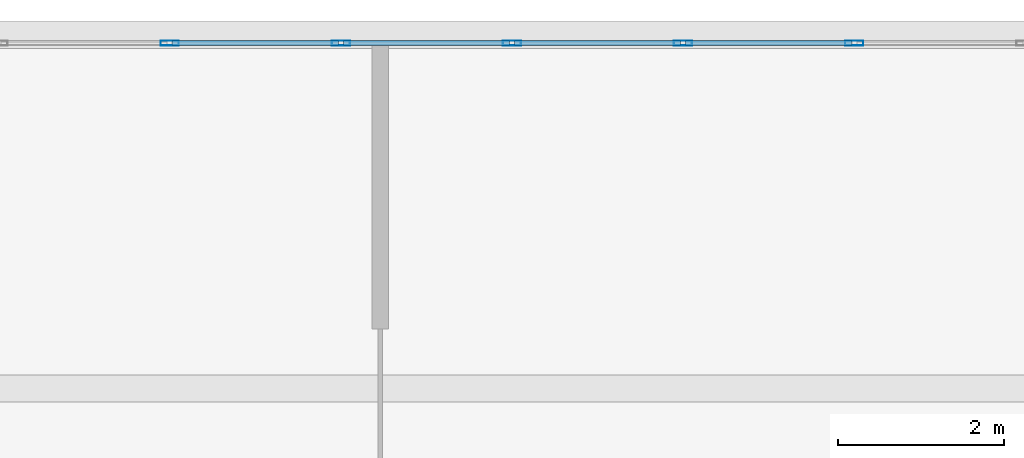
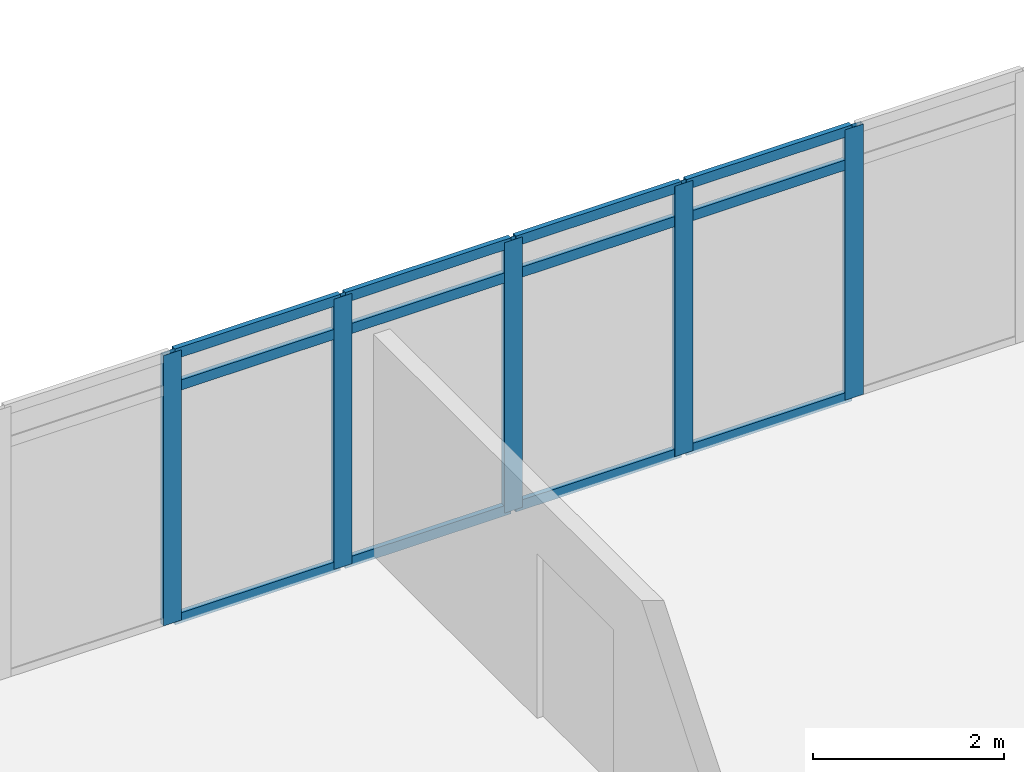
# One storey, part 17 of 28: 17 members, 1 element without a shape of its own.
"""IFC4 building model written with IfcOpenShell, lengths in metres."""

import ifcopenshell
import ifcopenshell.guid

model = None  # the IFC model being written
_history = None  # IfcOwnerHistory: only IFC2X3 demands one
_inside = {}  # id of a spatial element -> (the spatial element, [elements in it])
_under = {}  # id of a project, library or spatial element -> (it, [spatial elements below it])
_declared = {}  # id of a project -> (the project, [libraries it declares])
_typed = {}  # id of a type object -> (the type object, [elements of that type])
_made_of = {}  # id of a material, layer set ... -> (it, [elements and type objects made of it])


def new_model(schema):
    """Start an empty IFC model of exactly this schema.

    Asked for "IFC4X3", IfcOpenShell would pick the latest addendum, in which some entities
    have other attributes; the version numbers below select the first issue.
    IFC2X3 requires an IfcOwnerHistory on every rooted entity: one is made here for all.
    """
    global model, _history
    if schema == "IFC4X3":
        model = ifcopenshell.file(schema_version=(4, 3, 0, 0))
    else:
        model = ifcopenshell.file(schema=schema)
    _inside.clear()
    _under.clear()
    _declared.clear()
    _typed.clear()
    _made_of.clear()
    _history = None
    if model.schema == "IFC2X3":
        org = make("IfcOrganization", Name="unknown")
        user = make(
            "IfcPersonAndOrganization",
            ThePerson=make("IfcPerson", FamilyName="unknown"),
            TheOrganization=org,
        )
        app = make(
            "IfcApplication",
            ApplicationDeveloper=org,
            Version="unknown",
            ApplicationFullName="unknown",
            ApplicationIdentifier="unknown",
        )
        _history = make(
            "IfcOwnerHistory",
            OwningUser=user,
            OwningApplication=app,
            ChangeAction="ADDED",
            CreationDate=0,
        )
    return model


def make(cls, **values):
    """One entity of the class cls with the attributes given. An attribute that is None is left unset."""
    return model.create_entity(
        cls, **{name: value for name, value in values.items() if value is not None}
    )


def rooted(cls, **values):
    """An entity with a GlobalId (a new one), such as an element, a storey or a relation."""
    return make(cls, GlobalId=ifcopenshell.guid.new(), OwnerHistory=_history, **values)


def si_unit(unit_type, name, prefix=None):
    """IfcSIUnit, for example si_unit("LENGTHUNIT", "METRE", prefix="MILLI")."""
    return make("IfcSIUnit", UnitType=unit_type, Prefix=prefix, Name=name)


def assignment(units):
    """IfcUnitAssignment: the units of a project."""
    return None if units is None else make("IfcUnitAssignment", Units=units)


def point(xyz):
    """IfcCartesianPoint."""
    return None if xyz is None else make("IfcCartesianPoint", Coordinates=xyz)


def direction(xyz):
    """IfcDirection."""
    return None if xyz is None else make("IfcDirection", DirectionRatios=xyz)


def frame(location, z_axis=None, x_axis=None):
    """IfcAxis2Placement3D, a coordinate frame: its origin and axes. An axis left out is left unset."""
    return make(
        "IfcAxis2Placement3D",
        Location=point(location),
        Axis=direction(z_axis),
        RefDirection=direction(x_axis),
    )


def frame_2d(location, x_axis=None):
    """IfcAxis2Placement2D, a coordinate frame in the plane: its origin and x axis."""
    return make(
        "IfcAxis2Placement2D", Location=point(location), RefDirection=direction(x_axis)
    )


def origin():
    """The frame at (0, 0, 0) with its axes left unset."""
    return frame((0.0, 0.0, 0.0))


def origin_2d():
    """The frame at (0, 0) in the plane with its x axis left unset."""
    return frame_2d((0.0, 0.0))


def place(relative_to, where):
    """IfcLocalPlacement: puts the frame where relative to a parent placement (None: the world)."""
    return make(
        "IfcLocalPlacement", PlacementRelTo=relative_to, RelativePlacement=where
    )


def context(
    kind, dimensions, precision=None, world=None, true_north=None, identifier=None
):
    """IfcGeometricRepresentationContext, for example the 3D "Model" context."""
    return make(
        "IfcGeometricRepresentationContext",
        ContextIdentifier=identifier,
        ContextType=kind,
        CoordinateSpaceDimension=dimensions,
        Precision=precision,
        WorldCoordinateSystem=world,
        TrueNorth=true_north,
    )


def subcontext(parent, identifier, kind, view, scale=None):
    """IfcGeometricRepresentationSubContext, for example "Body" below "Model"."""
    return make(
        "IfcGeometricRepresentationSubContext",
        ContextIdentifier=identifier,
        ContextType=kind,
        ParentContext=parent,
        TargetScale=scale,
        TargetView=view,
    )


def project(units=None, contexts=None):
    """IfcProject with its units and contexts."""
    return rooted(
        "IfcProject",
        Name="project",
        RepresentationContexts=contexts,
        UnitsInContext=assignment(units),
    )


def spatial(cls, under=None, at=None, **own):
    """A site, building, storey or space (cls), placed at a placement, below another one or the project."""
    s = rooted(cls, ObjectPlacement=at, **own)
    if under is not None:
        _under.setdefault(under.id(), (under, []))[1].append(s)
    return s


def profile(cls, at=None, kind="AREA", **sizes):
    """A parametric profile (cls). Its sizes go by their IFC names, for example OverallWidth=200.0."""
    return make(cls, ProfileType=kind, Position=at, **sizes)


def hollow_rectangle(**sizes):
    """IfcRectangleHollowProfileDef."""
    return profile("IfcRectangleHollowProfileDef", **sizes)


def extrude(swept, where, along, depth):
    """IfcExtrudedAreaSolid: the profile swept, set in the frame where, extruded along a direction by depth."""
    return make(
        "IfcExtrudedAreaSolid",
        SweptArea=swept,
        Position=where,
        ExtrudedDirection=direction(along),
        Depth=depth,
    )


def shape(context_of_items, identifier, shape_type, items):
    """IfcShapeRepresentation: the items that make up one representation, for example the "Body"."""
    return make(
        "IfcShapeRepresentation",
        ContextOfItems=context_of_items,
        RepresentationIdentifier=identifier,
        RepresentationType=shape_type,
        Items=items,
    )


def material(Name=None, Category=None):
    """IfcMaterial."""
    return make("IfcMaterial", Name=Name, Category=Category)


def material_profile(
    of_material, cross_section, Name=None, Category=None, Priority=None
):
    """IfcMaterialProfile: a cross section and its material."""
    return make(
        "IfcMaterialProfile",
        Name=Name,
        Material=of_material,
        Profile=cross_section,
        Priority=Priority,
        Category=Category,
    )


def profile_set(profiles, Name=None, composite=None):
    """IfcMaterialProfileSet."""
    return make(
        "IfcMaterialProfileSet",
        Name=Name,
        MaterialProfiles=profiles,
        CompositeProfile=composite,
    )


def made_of(thing, what):
    """Note that an element or type object is made of a material, layer set ...; save() writes the relation."""
    if what is not None:
        _made_of.setdefault(what.id(), (what, []))[1].append(thing)
    return thing


def type_object(cls, material=None, **own):
    """A type object (cls), such as IfcWallType, which elements share."""
    return made_of(rooted(cls, **own), material)


def element(
    cls,
    number,
    at=None,
    inside=None,
    cuts=None,
    type_object=None,
    material=None,
    context=None,
    identifier="Body",
    shape_type=None,
    held_by="IfcProductDefinitionShape",
    body=None,
    shapes=None,
    **own,
):
    """One element of the class cls, such as IfcWall. Its Tag is "e" and its number.

    at: its placement. inside: the storey or other place that contains it. cuts: it is an
    opening in that element (IfcRelVoidsElement). A single representation is given by context,
    identifier, shape_type and body (its items); several are given by shapes. held_by: the class
    of the entity that holds the representations. save() writes the other relations.
    """
    e = rooted(cls, Tag="e%d" % number, ObjectPlacement=at, **own)
    if body is not None:
        shapes = [shape(context, identifier, shape_type, body)]
    if shapes is not None:
        e.Representation = make(held_by, Representations=shapes)
    if inside is not None:
        _inside.setdefault(inside.id(), (inside, []))[1].append(e)
    if cuts is not None:
        rooted(
            "IfcRelVoidsElement", RelatingBuildingElement=cuts, RelatedOpeningElement=e
        )
    if type_object is not None:
        _typed.setdefault(type_object.id(), (type_object, []))[1].append(e)
    return made_of(e, material)


def aggregate(whole, parts):
    """IfcRelAggregates: a whole, such as a stair, and the parts it consists of."""
    return rooted("IfcRelAggregates", RelatingObject=whole, RelatedObjects=parts)


def save(model, path):
    """Write the relations noted so far, then the file.

    IfcRelAggregates (storeys below a building ...), IfcRelContainedInSpatialStructure (elements
    in a storey), IfcRelDefinesByType, IfcRelAssociatesMaterial and IfcRelDeclares: one each for
    every whole, place, type object, material and project.
    """
    for whole, parts in _under.values():
        aggregate(whole, parts)
    for where, things in _inside.values():
        rooted(
            "IfcRelContainedInSpatialStructure",
            RelatedElements=things,
            RelatingStructure=where,
        )
    for kind, things in _typed.values():
        rooted("IfcRelDefinesByType", RelatedObjects=things, RelatingType=kind)
    for what, things in _made_of.values():
        rooted("IfcRelAssociatesMaterial", RelatedObjects=things, RelatingMaterial=what)
    for by, libraries in _declared.values():
        rooted("IfcRelDeclares", RelatingContext=by, RelatedDefinitions=libraries)
    model.write(path)


model = new_model("IFC4")

# Units and contexts
model_context = context("Model", 3, precision=1e-05, world=origin(), true_north=direction((0.0, 1.0)))
body_context = subcontext(model_context, "Body", "Model", "MODEL_VIEW")
ifc_project = project(units=[si_unit("LENGTHUNIT", "METRE"), si_unit("AREAUNIT", "SQUARE_METRE"), si_unit("VOLUMEUNIT", "CUBIC_METRE"), si_unit("PLANEANGLEUNIT", "RADIAN"), si_unit("MASSUNIT", "GRAM", prefix="KILO")], contexts=[model_context])

# Site, building, storey
site_placement = place(None, origin())
site = spatial("IfcSite", under=ifc_project, at=site_placement, CompositionType="ELEMENT")
building_placement = place(site_placement, origin())
building = spatial("IfcBuilding", under=site, at=building_placement, Name="Ostrander Bayou Hotel Tower", CompositionType="ELEMENT")
storey_placement = place(building_placement, frame((0.0, 0.0, 100.5)))
storey = spatial("IfcBuildingStorey", under=building, at=storey_placement, Name="L25", CompositionType="ELEMENT", Elevation=100.5)

# Curtain wall, members
ifc_material_1 = material(Name="Aluminium and clear glass", Category="aluminium")
curtain_wall_type = type_object("IfcCurtainWallType", Name="CW-BAR glazed wall", PredefinedType="NOTDEFINED", material=ifc_material_1)
curtain_wall_placement = place(storey_placement, origin())
curtain_wall = element("IfcCurtainWall", 1, at=curtain_wall_placement, inside=storey, type_object=curtain_wall_type, Name="CW-BAR L25:SB2N:T", PredefinedType="NOTDEFINED")
ifc_material_2 = material(Name="Aluminium", Category="aluminium")
ifc_material_profile_1 = material_profile(ifc_material_2, hollow_rectangle(XDim=0.06005859375, YDim=0.219970703125, WallThickness=0.00390625, at=origin_2d()))
ifc_profile_set_1 = profile_set([ifc_material_profile_1], Name="Aluminium")
member_type_1 = type_object("IfcMemberType", Name="CW-BR mullion 60 x 220 mm", PredefinedType="MULLION", material=ifc_profile_set_1)
member_1_placement = place(storey_placement, frame((1.0283203125, 31.4453125, 0.0), z_axis=(0.0, 0.0, 1.0), x_axis=(0.0, 1.0, 0.0)))
member_1 = element("IfcMember", 2, at=member_1_placement, type_object=member_type_1, Name="CW-BAR mullion 8", PredefinedType="MULLION", context=body_context, shape_type="SweptSolid", body=[
    extrude(hollow_rectangle(XDim=0.06005859375, YDim=0.219970703125, WallThickness=0.00390625, at=origin_2d()), origin(), (0.0, 0.0, 1.0), 3.449951171875),
])
member_2_placement = place(storey_placement, frame((3.084716796875, 31.4453125, 0.0), z_axis=(0.0, 0.0, 1.0), x_axis=(0.0, 1.0, 0.0)))
member_2 = element("IfcMember", 3, at=member_2_placement, type_object=member_type_1, Name="CW-BAR mullion 9", PredefinedType="MULLION", context=body_context, shape_type="SweptSolid", body=[
    extrude(hollow_rectangle(XDim=0.06005859375, YDim=0.219970703125, WallThickness=0.00390625, at=origin_2d()), origin(), (0.0, 0.0, 1.0), 3.449951171875),
])
member_3_placement = place(storey_placement, frame((5.14111328125, 31.4453125, 0.0), z_axis=(0.0, 0.0, 1.0), x_axis=(0.0, 1.0, 0.0)))
member_3 = element("IfcMember", 4, at=member_3_placement, type_object=member_type_1, Name="CW-BAR mullion 10", PredefinedType="MULLION", context=body_context, shape_type="SweptSolid", body=[
    extrude(hollow_rectangle(XDim=0.06005859375, YDim=0.219970703125, WallThickness=0.00390625, at=origin_2d()), origin(), (0.0, 0.0, 1.0), 3.449951171875),
])
member_4_placement = place(storey_placement, frame((7.19775390625, 31.4453125, 0.0), z_axis=(0.0, 0.0, 1.0), x_axis=(0.0, 1.0, 0.0)))
member_4 = element("IfcMember", 5, at=member_4_placement, type_object=member_type_1, Name="CW-BAR mullion 11", PredefinedType="MULLION", context=body_context, shape_type="SweptSolid", body=[
    extrude(hollow_rectangle(XDim=0.06005859375, YDim=0.219970703125, WallThickness=0.00390625, at=origin_2d()), origin(), (0.0, 0.0, 1.0), 3.449951171875),
])
member_5_placement = place(storey_placement, frame((9.254150390625, 31.4453125, 0.0), z_axis=(0.0, 0.0, 1.0), x_axis=(0.0, 1.0, 0.0)))
member_5 = element("IfcMember", 6, at=member_5_placement, type_object=member_type_1, Name="CW-BAR mullion 12", PredefinedType="MULLION", context=body_context, shape_type="SweptSolid", body=[
    extrude(hollow_rectangle(XDim=0.06005859375, YDim=0.219970703125, WallThickness=0.00390625, at=origin_2d()), origin(), (0.0, 0.0, 1.0), 3.449951171875),
])
ifc_material_3 = material(Name="Aluminium", Category="aluminium")
ifc_material_profile_2 = material_profile(ifc_material_3, hollow_rectangle(XDim=0.06005859375, YDim=0.1298828125, WallThickness=0.00390625, at=origin_2d()))
ifc_profile_set_2 = profile_set([ifc_material_profile_2], Name="Aluminium")
member_type_2 = type_object("IfcMemberType", Name="CW-BR transom 60 x 130 mm", PredefinedType="USERDEFINED", material=ifc_profile_set_2)
member_6_placement = place(storey_placement, frame((1.058349609375, 31.4453125, 0.030029296875), z_axis=(1.0, 0.0, 0.0), x_axis=(0.0, 1.0, 0.0)))
member_6 = element("IfcMember", 7, at=member_6_placement, type_object=member_type_2, Name="CW-BAR transom 8.1", ObjectType="TRANSOM", PredefinedType="USERDEFINED", context=body_context, shape_type="SweptSolid", body=[
    extrude(hollow_rectangle(XDim=0.06005859375, YDim=0.1298828125, WallThickness=0.00390625, at=origin_2d()), origin(), (0.0, 0.0, 1.0), 1.996337890625),
])
member_7_placement = place(storey_placement, frame((1.058349609375, 31.4453125, 3.0), z_axis=(1.0, 0.0, 0.0), x_axis=(0.0, 1.0, 0.0)))
member_7 = element("IfcMember", 8, at=member_7_placement, type_object=member_type_2, Name="CW-BAR transom 8.2", ObjectType="TRANSOM", PredefinedType="USERDEFINED", context=body_context, shape_type="SweptSolid", body=[
    extrude(hollow_rectangle(XDim=0.06005859375, YDim=0.1298828125, WallThickness=0.00390625, at=origin_2d()), origin(), (0.0, 0.0, 1.0), 1.996337890625),
])
member_8_placement = place(storey_placement, frame((1.058349609375, 31.4453125, 3.419921875), z_axis=(1.0, 0.0, 0.0), x_axis=(0.0, 1.0, 0.0)))
member_8 = element("IfcMember", 9, at=member_8_placement, type_object=member_type_2, Name="CW-BAR transom 8.3", ObjectType="TRANSOM", PredefinedType="USERDEFINED", context=body_context, shape_type="SweptSolid", body=[
    extrude(hollow_rectangle(XDim=0.06005859375, YDim=0.1298828125, WallThickness=0.00390625, at=origin_2d()), origin(), (0.0, 0.0, 1.0), 1.996337890625),
])
member_9_placement = place(storey_placement, frame((3.11474609375, 31.4453125, 0.030029296875), z_axis=(1.0, 0.0, 0.0), x_axis=(0.0, 1.0, 0.0)))
member_9 = element("IfcMember", 10, at=member_9_placement, type_object=member_type_2, Name="CW-BAR transom 9.1", ObjectType="TRANSOM", PredefinedType="USERDEFINED", context=body_context, shape_type="SweptSolid", body=[
    extrude(hollow_rectangle(XDim=0.06005859375, YDim=0.1298828125, WallThickness=0.00390625, at=origin_2d()), origin(), (0.0, 0.0, 1.0), 1.99658203125),
])
member_10_placement = place(storey_placement, frame((3.11474609375, 31.4453125, 3.0), z_axis=(1.0, 0.0, 0.0), x_axis=(0.0, 1.0, 0.0)))
member_10 = element("IfcMember", 11, at=member_10_placement, type_object=member_type_2, Name="CW-BAR transom 9.2", ObjectType="TRANSOM", PredefinedType="USERDEFINED", context=body_context, shape_type="SweptSolid", body=[
    extrude(hollow_rectangle(XDim=0.06005859375, YDim=0.1298828125, WallThickness=0.00390625, at=origin_2d()), origin(), (0.0, 0.0, 1.0), 1.99658203125),
])
member_11_placement = place(storey_placement, frame((3.11474609375, 31.4453125, 3.419921875), z_axis=(1.0, 0.0, 0.0), x_axis=(0.0, 1.0, 0.0)))
member_11 = element("IfcMember", 12, at=member_11_placement, type_object=member_type_2, Name="CW-BAR transom 9.3", ObjectType="TRANSOM", PredefinedType="USERDEFINED", context=body_context, shape_type="SweptSolid", body=[
    extrude(hollow_rectangle(XDim=0.06005859375, YDim=0.1298828125, WallThickness=0.00390625, at=origin_2d()), origin(), (0.0, 0.0, 1.0), 1.99658203125),
])
member_12_placement = place(storey_placement, frame((5.171142578125, 31.4453125, 0.030029296875), z_axis=(1.0, 0.0, 0.0), x_axis=(0.0, 1.0, 0.0)))
member_12 = element("IfcMember", 13, at=member_12_placement, type_object=member_type_2, Name="CW-BAR transom 10.1", ObjectType="TRANSOM", PredefinedType="USERDEFINED", context=body_context, shape_type="SweptSolid", body=[
    extrude(hollow_rectangle(XDim=0.06005859375, YDim=0.1298828125, WallThickness=0.00390625, at=origin_2d()), origin(), (0.0, 0.0, 1.0), 1.99658203125),
])
member_13_placement = place(storey_placement, frame((5.171142578125, 31.4453125, 3.0), z_axis=(1.0, 0.0, 0.0), x_axis=(0.0, 1.0, 0.0)))
member_13 = element("IfcMember", 14, at=member_13_placement, type_object=member_type_2, Name="CW-BAR transom 10.2", ObjectType="TRANSOM", PredefinedType="USERDEFINED", context=body_context, shape_type="SweptSolid", body=[
    extrude(hollow_rectangle(XDim=0.06005859375, YDim=0.1298828125, WallThickness=0.00390625, at=origin_2d()), origin(), (0.0, 0.0, 1.0), 1.99658203125),
])
member_14_placement = place(storey_placement, frame((5.171142578125, 31.4453125, 3.419921875), z_axis=(1.0, 0.0, 0.0), x_axis=(0.0, 1.0, 0.0)))
member_14 = element("IfcMember", 15, at=member_14_placement, type_object=member_type_2, Name="CW-BAR transom 10.3", ObjectType="TRANSOM", PredefinedType="USERDEFINED", context=body_context, shape_type="SweptSolid", body=[
    extrude(hollow_rectangle(XDim=0.06005859375, YDim=0.1298828125, WallThickness=0.00390625, at=origin_2d()), origin(), (0.0, 0.0, 1.0), 1.99658203125),
])
member_15_placement = place(storey_placement, frame((7.227783203125, 31.4453125, 0.030029296875), z_axis=(1.0, 0.0, 0.0), x_axis=(0.0, 1.0, 0.0)))
member_15 = element("IfcMember", 16, at=member_15_placement, type_object=member_type_2, Name="CW-BAR transom 11.1", ObjectType="TRANSOM", PredefinedType="USERDEFINED", context=body_context, shape_type="SweptSolid", body=[
    extrude(hollow_rectangle(XDim=0.06005859375, YDim=0.1298828125, WallThickness=0.00390625, at=origin_2d()), origin(), (0.0, 0.0, 1.0), 1.996337890625),
])
member_16_placement = place(storey_placement, frame((7.227783203125, 31.4453125, 3.0), z_axis=(1.0, 0.0, 0.0), x_axis=(0.0, 1.0, 0.0)))
member_16 = element("IfcMember", 17, at=member_16_placement, type_object=member_type_2, Name="CW-BAR transom 11.2", ObjectType="TRANSOM", PredefinedType="USERDEFINED", context=body_context, shape_type="SweptSolid", body=[
    extrude(hollow_rectangle(XDim=0.06005859375, YDim=0.1298828125, WallThickness=0.00390625, at=origin_2d()), origin(), (0.0, 0.0, 1.0), 1.996337890625),
])
member_17_placement = place(storey_placement, frame((7.227783203125, 31.4453125, 3.419921875), z_axis=(1.0, 0.0, 0.0), x_axis=(0.0, 1.0, 0.0)))
member_17 = element("IfcMember", 18, at=member_17_placement, type_object=member_type_2, Name="CW-BAR transom 11.3", ObjectType="TRANSOM", PredefinedType="USERDEFINED", context=body_context, shape_type="SweptSolid", body=[
    extrude(hollow_rectangle(XDim=0.06005859375, YDim=0.1298828125, WallThickness=0.00390625, at=origin_2d()), origin(), (0.0, 0.0, 1.0), 1.996337890625),
])
aggregate(curtain_wall, [member_1, member_2, member_3, member_4, member_5, member_6, member_7, member_8, member_9, member_10, member_11, member_12, member_13, member_14, member_15, member_16, member_17])

save(model, "model.ifc")
